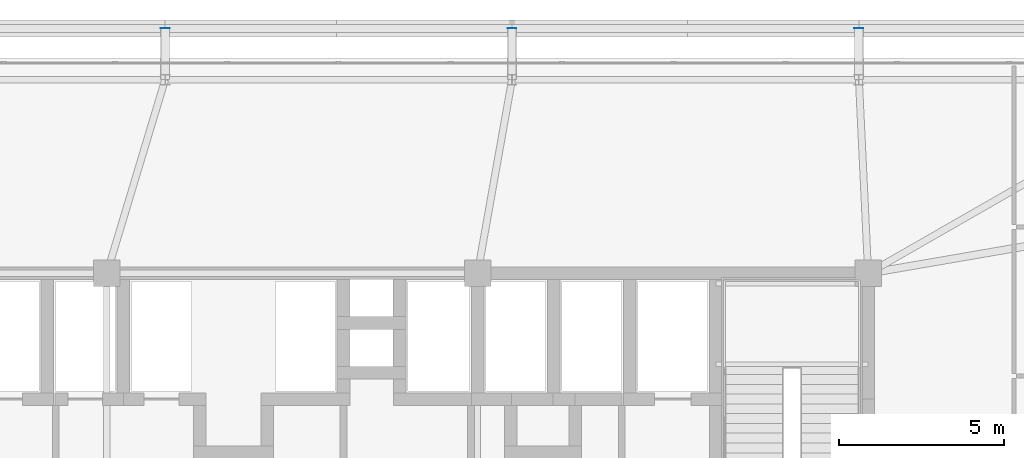
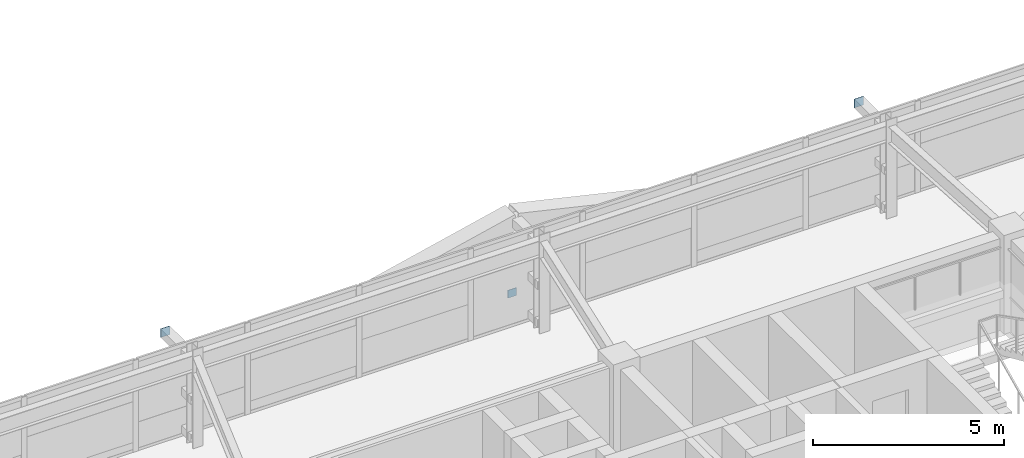
# One storey, part 50 of 59: 3 plates.
"""IFC4 building model written with IfcOpenShell, lengths in metres."""

import ifcopenshell
import ifcopenshell.guid

model = None  # the IFC model being written
_history = None  # IfcOwnerHistory: only IFC2X3 demands one
_inside = {}  # id of a spatial element -> (the spatial element, [elements in it])
_under = {}  # id of a project, library or spatial element -> (it, [spatial elements below it])
_declared = {}  # id of a project -> (the project, [libraries it declares])
_typed = {}  # id of a type object -> (the type object, [elements of that type])
_made_of = {}  # id of a material, layer set ... -> (it, [elements and type objects made of it])


def new_model(schema):
    """Start an empty IFC model of exactly this schema.

    Asked for "IFC4X3", IfcOpenShell would pick the latest addendum, in which some entities
    have other attributes; the version numbers below select the first issue.
    IFC2X3 requires an IfcOwnerHistory on every rooted entity: one is made here for all.
    """
    global model, _history
    if schema == "IFC4X3":
        model = ifcopenshell.file(schema_version=(4, 3, 0, 0))
    else:
        model = ifcopenshell.file(schema=schema)
    _inside.clear()
    _under.clear()
    _declared.clear()
    _typed.clear()
    _made_of.clear()
    _history = None
    if model.schema == "IFC2X3":
        org = make("IfcOrganization", Name="unknown")
        user = make(
            "IfcPersonAndOrganization",
            ThePerson=make("IfcPerson", FamilyName="unknown"),
            TheOrganization=org,
        )
        app = make(
            "IfcApplication",
            ApplicationDeveloper=org,
            Version="unknown",
            ApplicationFullName="unknown",
            ApplicationIdentifier="unknown",
        )
        _history = make(
            "IfcOwnerHistory",
            OwningUser=user,
            OwningApplication=app,
            ChangeAction="ADDED",
            CreationDate=0,
        )
    return model


def make(cls, **values):
    """One entity of the class cls with the attributes given. An attribute that is None is left unset."""
    return model.create_entity(
        cls, **{name: value for name, value in values.items() if value is not None}
    )


def rooted(cls, **values):
    """An entity with a GlobalId (a new one), such as an element, a storey or a relation."""
    return make(cls, GlobalId=ifcopenshell.guid.new(), OwnerHistory=_history, **values)


def si_unit(unit_type, name, prefix=None):
    """IfcSIUnit, for example si_unit("LENGTHUNIT", "METRE", prefix="MILLI")."""
    return make("IfcSIUnit", UnitType=unit_type, Prefix=prefix, Name=name)


def assignment(units):
    """IfcUnitAssignment: the units of a project."""
    return None if units is None else make("IfcUnitAssignment", Units=units)


def point(xyz):
    """IfcCartesianPoint."""
    return None if xyz is None else make("IfcCartesianPoint", Coordinates=xyz)


def direction(xyz):
    """IfcDirection."""
    return None if xyz is None else make("IfcDirection", DirectionRatios=xyz)


def frame(location, z_axis=None, x_axis=None):
    """IfcAxis2Placement3D, a coordinate frame: its origin and axes. An axis left out is left unset."""
    return make(
        "IfcAxis2Placement3D",
        Location=point(location),
        Axis=direction(z_axis),
        RefDirection=direction(x_axis),
    )


def frame_2d(location, x_axis=None):
    """IfcAxis2Placement2D, a coordinate frame in the plane: its origin and x axis."""
    return make(
        "IfcAxis2Placement2D", Location=point(location), RefDirection=direction(x_axis)
    )


def origin():
    """The frame at (0, 0, 0) with its axes left unset."""
    return frame((0.0, 0.0, 0.0))


def origin_2d():
    """The frame at (0, 0) in the plane with its x axis left unset."""
    return frame_2d((0.0, 0.0))


def place(relative_to, where):
    """IfcLocalPlacement: puts the frame where relative to a parent placement (None: the world)."""
    return make(
        "IfcLocalPlacement", PlacementRelTo=relative_to, RelativePlacement=where
    )


def context(
    kind, dimensions, precision=None, world=None, true_north=None, identifier=None
):
    """IfcGeometricRepresentationContext, for example the 3D "Model" context."""
    return make(
        "IfcGeometricRepresentationContext",
        ContextIdentifier=identifier,
        ContextType=kind,
        CoordinateSpaceDimension=dimensions,
        Precision=precision,
        WorldCoordinateSystem=world,
        TrueNorth=true_north,
    )


def subcontext(parent, identifier, kind, view, scale=None):
    """IfcGeometricRepresentationSubContext, for example "Body" below "Model"."""
    return make(
        "IfcGeometricRepresentationSubContext",
        ContextIdentifier=identifier,
        ContextType=kind,
        ParentContext=parent,
        TargetScale=scale,
        TargetView=view,
    )


def project(units=None, contexts=None):
    """IfcProject with its units and contexts."""
    return rooted(
        "IfcProject",
        Name="project",
        RepresentationContexts=contexts,
        UnitsInContext=assignment(units),
    )


def spatial(cls, under=None, at=None, **own):
    """A site, building, storey or space (cls), placed at a placement, below another one or the project."""
    s = rooted(cls, ObjectPlacement=at, **own)
    if under is not None:
        _under.setdefault(under.id(), (under, []))[1].append(s)
    return s


def profile(cls, at=None, kind="AREA", **sizes):
    """A parametric profile (cls). Its sizes go by their IFC names, for example OverallWidth=200.0."""
    return make(cls, ProfileType=kind, Position=at, **sizes)


def rectangle(**sizes):
    """IfcRectangleProfileDef."""
    return profile("IfcRectangleProfileDef", **sizes)


def extrude(swept, where, along, depth):
    """IfcExtrudedAreaSolid: the profile swept, set in the frame where, extruded along a direction by depth."""
    return make(
        "IfcExtrudedAreaSolid",
        SweptArea=swept,
        Position=where,
        ExtrudedDirection=direction(along),
        Depth=depth,
    )


def shape(context_of_items, identifier, shape_type, items):
    """IfcShapeRepresentation: the items that make up one representation, for example the "Body"."""
    return make(
        "IfcShapeRepresentation",
        ContextOfItems=context_of_items,
        RepresentationIdentifier=identifier,
        RepresentationType=shape_type,
        Items=items,
    )


def source(mapping_origin, context_of_items, identifier, shape_type, items):
    """IfcRepresentationMap: a shape defined once, which mapped items show again and again."""
    return make(
        "IfcRepresentationMap",
        MappingOrigin=mapping_origin,
        MappedRepresentation=shape(context_of_items, identifier, shape_type, items),
    )


def transform(
    local_origin,
    x_axis=None,
    y_axis=None,
    z_axis=None,
    scale=None,
    scale2=None,
    scale3=None,
    uniform=True,
):
    """IfcCartesianTransformationOperator3D, or its non-uniform kind. x_axis, y_axis, z_axis: its Axis1, 2, 3."""
    if uniform:
        return make(
            "IfcCartesianTransformationOperator3D",
            Axis1=direction(x_axis),
            Axis2=direction(y_axis),
            LocalOrigin=point(local_origin),
            Scale=scale,
            Axis3=direction(z_axis),
        )
    return make(
        "IfcCartesianTransformationOperator3DnonUniform",
        Axis1=direction(x_axis),
        Axis2=direction(y_axis),
        LocalOrigin=point(local_origin),
        Scale=scale,
        Axis3=direction(z_axis),
        Scale2=scale2,
        Scale3=scale3,
    )


def mapped(mapping_source, mapping_target):
    """IfcMappedItem: shows the shape of a source again, moved by a transform."""
    return make(
        "IfcMappedItem", MappingSource=mapping_source, MappingTarget=mapping_target
    )


def material(Name=None, Category=None):
    """IfcMaterial."""
    return make("IfcMaterial", Name=Name, Category=Category)


def layer(
    of_material, thickness, ventilated=None, Name=None, Category=None, Priority=None
):
    """IfcMaterialLayer: one layer of a wall or slab, of a material (None: an air gap)."""
    return make(
        "IfcMaterialLayer",
        Material=of_material,
        LayerThickness=thickness,
        IsVentilated=ventilated,
        Name=Name,
        Category=Category,
        Priority=Priority,
    )


def layer_set(layers, Name=None):
    """IfcMaterialLayerSet."""
    return make("IfcMaterialLayerSet", MaterialLayers=layers, LayerSetName=Name)


def made_of(thing, what):
    """Note that an element or type object is made of a material, layer set ...; save() writes the relation."""
    if what is not None:
        _made_of.setdefault(what.id(), (what, []))[1].append(thing)
    return thing


def type_object(cls, material=None, **own):
    """A type object (cls), such as IfcWallType, which elements share."""
    return made_of(rooted(cls, **own), material)


def element(
    cls,
    number,
    at=None,
    inside=None,
    cuts=None,
    type_object=None,
    material=None,
    context=None,
    identifier="Body",
    shape_type=None,
    held_by="IfcProductDefinitionShape",
    body=None,
    shapes=None,
    **own,
):
    """One element of the class cls, such as IfcWall. Its Tag is "e" and its number.

    at: its placement. inside: the storey or other place that contains it. cuts: it is an
    opening in that element (IfcRelVoidsElement). A single representation is given by context,
    identifier, shape_type and body (its items); several are given by shapes. held_by: the class
    of the entity that holds the representations. save() writes the other relations.
    """
    e = rooted(cls, Tag="e%d" % number, ObjectPlacement=at, **own)
    if body is not None:
        shapes = [shape(context, identifier, shape_type, body)]
    if shapes is not None:
        e.Representation = make(held_by, Representations=shapes)
    if inside is not None:
        _inside.setdefault(inside.id(), (inside, []))[1].append(e)
    if cuts is not None:
        rooted(
            "IfcRelVoidsElement", RelatingBuildingElement=cuts, RelatedOpeningElement=e
        )
    if type_object is not None:
        _typed.setdefault(type_object.id(), (type_object, []))[1].append(e)
    return made_of(e, material)


def aggregate(whole, parts):
    """IfcRelAggregates: a whole, such as a stair, and the parts it consists of."""
    return rooted("IfcRelAggregates", RelatingObject=whole, RelatedObjects=parts)


def save(model, path):
    """Write the relations noted so far, then the file.

    IfcRelAggregates (storeys below a building ...), IfcRelContainedInSpatialStructure (elements
    in a storey), IfcRelDefinesByType, IfcRelAssociatesMaterial and IfcRelDeclares: one each for
    every whole, place, type object, material and project.
    """
    for whole, parts in _under.values():
        aggregate(whole, parts)
    for where, things in _inside.values():
        rooted(
            "IfcRelContainedInSpatialStructure",
            RelatedElements=things,
            RelatingStructure=where,
        )
    for kind, things in _typed.values():
        rooted("IfcRelDefinesByType", RelatedObjects=things, RelatingType=kind)
    for what, things in _made_of.values():
        rooted("IfcRelAssociatesMaterial", RelatedObjects=things, RelatingMaterial=what)
    for by, libraries in _declared.values():
        rooted("IfcRelDeclares", RelatingContext=by, RelatedDefinitions=libraries)
    model.write(path)


model = new_model("IFC4")

# Units and contexts
model_context = context("Model", 3, precision=1e-05, world=origin(), true_north=direction((0.0, 1.0)))
body_context = subcontext(model_context, "Body", "Model", "MODEL_VIEW")
ifc_project = project(units=[si_unit("LENGTHUNIT", "METRE"), si_unit("AREAUNIT", "SQUARE_METRE"), si_unit("VOLUMEUNIT", "CUBIC_METRE"), si_unit("PLANEANGLEUNIT", "RADIAN"), si_unit("MASSUNIT", "GRAM", prefix="KILO")], contexts=[model_context])

# Site, building, storey
site_placement = place(None, origin())
site = spatial("IfcSite", under=ifc_project, at=site_placement, CompositionType="ELEMENT")
building_placement = place(site_placement, origin())
building = spatial("IfcBuilding", under=site, at=building_placement, Name="Taldren Reach Tower", CompositionType="ELEMENT")
storey_placement = place(building_placement, frame((0.0, 0.0, 23.10009765625)))
storey = spatial("IfcBuildingStorey", under=building, at=storey_placement, Name="L06", CompositionType="ELEMENT", Elevation=23.10009765625)

# Plates
ifc_material_1 = material(Name="Steel Gr 450 (C450L0)", Category="steel")
ifc_layer_1 = layer(ifc_material_1, 0.011962890625)
ifc_layer_set_1 = layer_set([ifc_layer_1], Name="Steel Gr 450 (C450L0)")
plate_type_1 = type_object("IfcPlateType", Name="PL-CAP-275", PredefinedType="SHEET", material=ifc_layer_set_1)
shared_shape_1 = source(origin(), body_context, "Body", "SweptSolid", [
    extrude(rectangle(XDim=0.27490234375, YDim=0.011962890625, at=origin_2d()), origin(), (0.0, 0.0, 1.0), 0.27490234375),
])
for number, where, z_axis, x_axis, name in (
    (1, (29.760009765625, 39.406005859375, 2.512451171875), (0.0, 0.0, 1.0), (1.0, 0.0, 0.0), "Tie strut end cap plate B1-N3 L06"),
    (2, (50.719970703125, 39.406005859375, 2.512451171875), (0.0, 0.0, 1.0), (1.0, 0.0, 0.0), "Tie strut end cap plate B1-N5 L06"),
):
    element("IfcPlate", number, at=place(storey_placement, frame(where, z_axis=z_axis, x_axis=x_axis)), inside=storey, type_object=plate_type_1, Name=name, PredefinedType="SHEET", context=body_context, shape_type="MappedRepresentation", body=[
        mapped(shared_shape_1, transform((0.0, 0.0, 0.0), scale=1.0)),
    ])
ifc_material_2 = material(Name="Steel Gr 350 (C350L0)", Category="steel")
ifc_layer_2 = layer(ifc_material_2, 0.011962890625)
ifc_layer_set_2 = layer_set([ifc_layer_2], Name="Steel Gr 350 (C350L0)")
plate_type_2 = type_object("IfcPlateType", Name="PL-CAP-250", PredefinedType="SHEET", material=ifc_layer_set_2)
shared_shape_2 = source(origin(), body_context, "Body", "SweptSolid", [
    extrude(rectangle(XDim=0.25, YDim=0.011962890625, at=origin_2d()), origin(), (0.0, 0.0, 1.0), 0.25),
])
plate_placement = place(storey_placement, frame((40.239990234375, 39.406005859375, 0.094970703125), z_axis=(0.0, 0.0, 1.0), x_axis=(1.0, 0.0, 0.0)))
element("IfcPlate", 3, at=plate_placement, inside=storey, type_object=plate_type_2, Name="Tie strut end cap plate B1-N4 L06", PredefinedType="SHEET", context=body_context, shape_type="MappedRepresentation", body=[
    mapped(shared_shape_2, transform((0.0, 0.0, 0.0), scale=1.0)),
])

save(model, "model.ifc")
